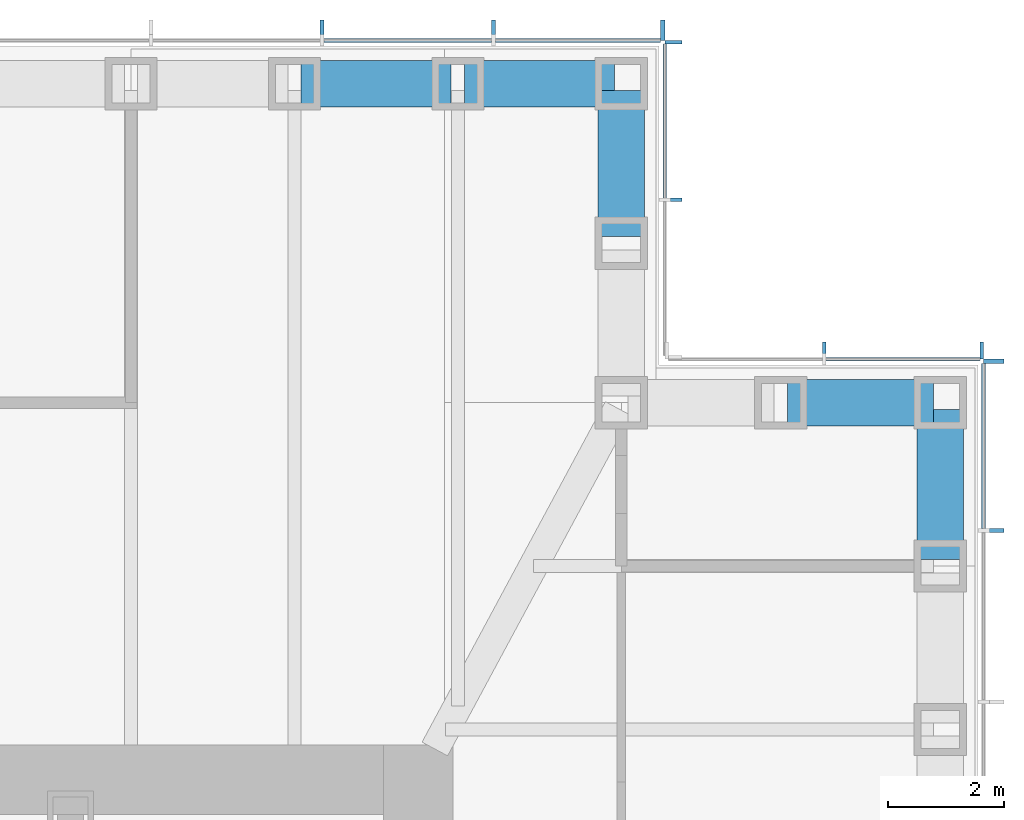
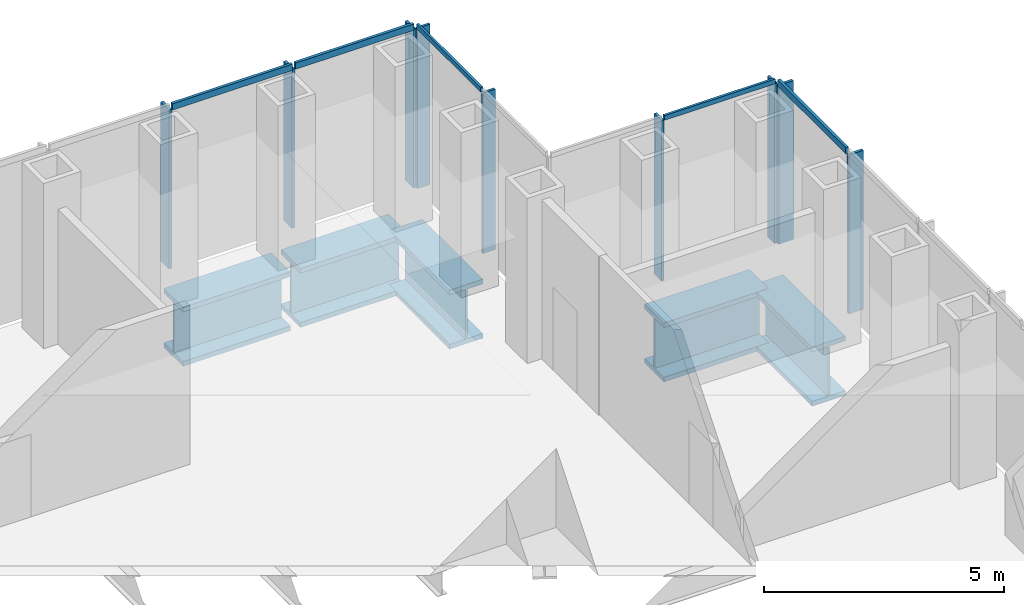
# One storey, part 6 of 16: 14 members, 5 beams, 4 elements without a shape of their own.
"""IFC4 building model written with IfcOpenShell, lengths in metres."""

from ifc_helpers import new_model, si_unit, direction, frame, origin, origin_2d, place, context, subcontext, project, spatial, rectangle, i_section, extrude, material, material_profile, profile_set, type_object, element, aggregate, save


model = new_model("IFC4")

# Units and contexts
model_context = context("Model", 3, precision=1e-05, world=origin(), true_north=direction((0.0, 1.0)))
body_context = subcontext(model_context, "Body", "Model", "MODEL_VIEW")
ifc_project = project(units=[si_unit("LENGTHUNIT", "METRE"), si_unit("AREAUNIT", "SQUARE_METRE"), si_unit("VOLUMEUNIT", "CUBIC_METRE"), si_unit("PLANEANGLEUNIT", "RADIAN"), si_unit("MASSUNIT", "GRAM", prefix="KILO")], contexts=[model_context])

# Site, building, storey
site_placement = place(None, origin())
site = spatial("IfcSite", under=ifc_project, at=site_placement, CompositionType="ELEMENT")
building_placement = place(site_placement, origin())
building = spatial("IfcBuilding", under=site, at=building_placement, Name="Daluyong Arena Tower", CompositionType="ELEMENT")
storey_placement = place(building_placement, frame((0.0, 0.0, 189.699951171875)))
storey = spatial("IfcBuildingStorey", under=building, at=storey_placement, Name="L42", CompositionType="ELEMENT", Elevation=189.699951171875)

# Curtain wall, members
ifc_material_1 = material(Name="Bronze anodised aluminium and glass", Category="aluminium")
curtain_wall_type_1 = type_object("IfcCurtainWallType", Name="Curtain wall CW3", PredefinedType="USERDEFINED", material=ifc_material_1)
curtain_wall_1_placement = place(storey_placement, origin())
curtain_wall_1 = element("IfcCurtainWall", 1, at=curtain_wall_1_placement, inside=storey, type_object=curtain_wall_type_1, Name="curtain wall L42 E", ObjectType="UNITISED CURTAIN WALL", PredefinedType="USERDEFINED")
ifc_material_2 = material(Name="Bronze anodised aluminium fin", Category="aluminium")
ifc_material_profile_1 = material_profile(ifc_material_2, rectangle(XDim=0.35009765625, YDim=0.070068359375, at=origin_2d()))
ifc_profile_set_1 = profile_set([ifc_material_profile_1], Name="Bronze anodised aluminium fin")
member_type_1 = type_object("IfcMemberType", Name="CW3 bronze fin 350x70", PredefinedType="MULLION", material=ifc_profile_set_1)
member_1_placement = place(storey_placement, frame((77.925048828125, 93.29541015625, 0.0), z_axis=(0.0, 0.0, 1.0), x_axis=(-1.0, 0.0, 0.0)))
member_1 = element("IfcMember", 2, at=member_1_placement, type_object=member_type_1, Name="curtain wall L42 E fin 11", PredefinedType="MULLION", context=body_context, shape_type="SweptSolid", body=[
    extrude(rectangle(XDim=0.35009765625, YDim=0.070068359375, at=origin_2d()), origin(), (0.0, 0.0, 1.0), 4.0400390625),
])
member_2_placement = place(storey_placement, frame((77.925048828125, 96.215087890625, 0.0), z_axis=(0.0, 0.0, 1.0), x_axis=(-1.0, 0.0, 0.0)))
member_2 = element("IfcMember", 3, at=member_2_placement, type_object=member_type_1, Name="curtain wall L42 E fin 12", PredefinedType="MULLION", context=body_context, shape_type="SweptSolid", body=[
    extrude(rectangle(XDim=0.35009765625, YDim=0.070068359375, at=origin_2d()), origin(), (0.0, 0.0, 1.0), 4.0400390625),
])

curtain_wall_2_placement = place(storey_placement, origin())
curtain_wall_2 = element("IfcCurtainWall", 4, at=curtain_wall_2_placement, inside=storey, type_object=curtain_wall_type_1, Name="curtain wall L42 N", ObjectType="UNITISED CURTAIN WALL", PredefinedType="USERDEFINED")
member_3_placement = place(storey_placement, frame((72.215087890625, 101.925048828125, 0.0), z_axis=(0.0, 0.0, 1.0), x_axis=(0.0, -1.0, 0.0)))
member_3 = element("IfcMember", 5, at=member_3_placement, type_object=member_type_1, Name="curtain wall L42 N fin 1", PredefinedType="MULLION", context=body_context, shape_type="SweptSolid", body=[
    extrude(rectangle(XDim=0.35009765625, YDim=0.070068359375, at=origin_2d()), origin(), (0.0, 0.0, 1.0), 4.0400390625),
])
member_4_placement = place(storey_placement, frame((69.29541015625, 101.925048828125, 0.0), z_axis=(0.0, 0.0, 1.0), x_axis=(0.0, -1.0, 0.0)))
member_4 = element("IfcMember", 6, at=member_4_placement, type_object=member_type_1, Name="curtain wall L42 N fin 2", PredefinedType="MULLION", context=body_context, shape_type="SweptSolid", body=[
    extrude(rectangle(XDim=0.35009765625, YDim=0.070068359375, at=origin_2d()), origin(), (0.0, 0.0, 1.0), 4.0400390625),
])
member_5_placement = place(storey_placement, frame((66.3408203125, 101.925048828125, 0.0), z_axis=(0.0, 0.0, 1.0), x_axis=(0.0, -1.0, 0.0)))
member_5 = element("IfcMember", 7, at=member_5_placement, type_object=member_type_1, Name="curtain wall L42 N fin 3", PredefinedType="MULLION", context=body_context, shape_type="SweptSolid", body=[
    extrude(rectangle(XDim=0.35009765625, YDim=0.070068359375, at=origin_2d()), origin(), (0.0, 0.0, 1.0), 4.0400390625),
])

# Member
ifc_material_3 = material(Name="Bronze anodised aluminium", Category="aluminium")
ifc_material_profile_2 = material_profile(ifc_material_3, rectangle(XDim=0.070068359375, YDim=0.159912109375, at=origin_2d()))
ifc_profile_set_2 = profile_set([ifc_material_profile_2], Name="Bronze anodised aluminium")
member_type_2 = type_object("IfcMemberType", Name="CW3 stack transom 160x70", PredefinedType="USERDEFINED", material=ifc_profile_set_2)
member_6_placement = place(storey_placement, frame((77.75, 93.33056640625, 4.1201171875), z_axis=(0.0, 1.0, 0.0), x_axis=(-1.0, 0.0, 0.0)))
member_6 = element("IfcMember", 8, at=member_6_placement, type_object=member_type_2, Name="curtain wall L42 E transom 11", ObjectType="TRANSOM", PredefinedType="USERDEFINED", context=body_context, shape_type="SweptSolid", body=[
    extrude(rectangle(XDim=0.070068359375, YDim=0.159912109375, at=origin_2d()), origin(), (0.0, 0.0, 1.0), 2.849365234375),
])

aggregate(curtain_wall_1, [member_1, member_2, member_6])

member_7_placement = place(storey_placement, frame((72.179931640625, 101.75, 4.1201171875), z_axis=(-1.0, 0.0, 0.0), x_axis=(0.0, -1.0, 0.0)))
member_7 = element("IfcMember", 9, at=member_7_placement, type_object=member_type_2, Name="curtain wall L42 N transom 1", ObjectType="TRANSOM", PredefinedType="USERDEFINED", context=body_context, shape_type="SweptSolid", body=[
    extrude(rectangle(XDim=0.070068359375, YDim=0.159912109375, at=origin_2d()), origin(), (0.0, 0.0, 1.0), 2.849365234375),
])

member_8_placement = place(storey_placement, frame((69.260498046875, 101.75, 4.1201171875), z_axis=(-1.0, 0.0, 0.0), x_axis=(0.0, -1.0, 0.0)))
member_8 = element("IfcMember", 10, at=member_8_placement, type_object=member_type_2, Name="curtain wall L42 N transom 2", ObjectType="TRANSOM", PredefinedType="USERDEFINED", context=body_context, shape_type="SweptSolid", body=[
    extrude(rectangle(XDim=0.070068359375, YDim=0.159912109375, at=origin_2d()), origin(), (0.0, 0.0, 1.0), 2.884521484375),
])

aggregate(curtain_wall_2, [member_3, member_4, member_5, member_7, member_8])

# Curtain wall, members
ifc_material_4 = material(Name="Bronze anodised aluminium and glass", Category="aluminium")
curtain_wall_type_2 = type_object("IfcCurtainWallType", Name="Curtain wall CW7", PredefinedType="USERDEFINED", material=ifc_material_4)
curtain_wall_3_placement = place(storey_placement, origin())
curtain_wall_3 = element("IfcCurtainWall", 11, at=curtain_wall_3_placement, inside=storey, type_object=curtain_wall_type_2, Name="curtain wall L42 NE-N", ObjectType="UNITISED CURTAIN WALL", PredefinedType="USERDEFINED")
ifc_material_5 = material(Name="Bronze anodised aluminium fin", Category="aluminium")
ifc_material_profile_3 = material_profile(ifc_material_5, rectangle(XDim=0.300048828125, YDim=0.06005859375, at=origin_2d()))
ifc_profile_set_3 = profile_set([ifc_material_profile_3], Name="Bronze anodised aluminium fin")
member_type_3 = type_object("IfcMemberType", Name="CW7 bronze fin 300x60", PredefinedType="MULLION", material=ifc_profile_set_3)
member_9_placement = place(storey_placement, frame((77.719970703125, 96.39990234375, 0.0), z_axis=(0.0, 0.0, 1.0), x_axis=(0.0, -1.0, 0.0)))
member_9 = element("IfcMember", 12, at=member_9_placement, type_object=member_type_3, Name="curtain wall L42 NE-N fin 1", PredefinedType="MULLION", context=body_context, shape_type="SweptSolid", body=[
    extrude(rectangle(XDim=0.300048828125, YDim=0.06005859375, at=origin_2d()), origin(), (0.0, 0.0, 1.0), 4.080078125),
])
member_10_placement = place(storey_placement, frame((75.0, 96.39990234375, 0.0), z_axis=(0.0, 0.0, 1.0), x_axis=(0.0, -1.0, 0.0)))
member_10 = element("IfcMember", 13, at=member_10_placement, type_object=member_type_3, Name="curtain wall L42 NE-N fin 2", PredefinedType="MULLION", context=body_context, shape_type="SweptSolid", body=[
    extrude(rectangle(XDim=0.300048828125, YDim=0.06005859375, at=origin_2d()), origin(), (0.0, 0.0, 1.0), 4.080078125),
])

curtain_wall_4_placement = place(storey_placement, origin())
curtain_wall_4 = element("IfcCurtainWall", 14, at=curtain_wall_4_placement, inside=storey, type_object=curtain_wall_type_2, Name="curtain wall L42 NE-E", ObjectType="UNITISED CURTAIN WALL", PredefinedType="USERDEFINED")
member_11_placement = place(storey_placement, frame((72.39990234375, 99.0, 0.0), z_axis=(0.0, 0.0, 1.0), x_axis=(-1.0, 0.0, 0.0)))
member_11 = element("IfcMember", 15, at=member_11_placement, type_object=member_type_3, Name="curtain wall L42 NE-E fin 2", PredefinedType="MULLION", context=body_context, shape_type="SweptSolid", body=[
    extrude(rectangle(XDim=0.300048828125, YDim=0.06005859375, at=origin_2d()), origin(), (0.0, 0.0, 1.0), 4.080078125),
])
member_12_placement = place(storey_placement, frame((72.39990234375, 101.719970703125, 0.0), z_axis=(0.0, 0.0, 1.0), x_axis=(-1.0, 0.0, 0.0)))
member_12 = element("IfcMember", 16, at=member_12_placement, type_object=member_type_3, Name="curtain wall L42 NE-E fin 3", PredefinedType="MULLION", context=body_context, shape_type="SweptSolid", body=[
    extrude(rectangle(XDim=0.300048828125, YDim=0.06005859375, at=origin_2d()), origin(), (0.0, 0.0, 1.0), 4.080078125),
])

# Member
ifc_material_6 = material(Name="Bronze anodised aluminium", Category="aluminium")
ifc_material_profile_4 = material_profile(ifc_material_6, rectangle(XDim=0.06005859375, YDim=0.1201171875, at=origin_2d()))
ifc_profile_set_4 = profile_set([ifc_material_profile_4], Name="Bronze anodised aluminium")
member_type_4 = type_object("IfcMemberType", Name="CW7 stack transom 120x60", PredefinedType="USERDEFINED", material=ifc_profile_set_4)
member_13_placement = place(storey_placement, frame((77.68994140625, 96.25, 4.14013671875), z_axis=(-1.0, 0.0, 0.0), x_axis=(0.0, -1.0, 0.0)))
member_13 = element("IfcMember", 17, at=member_13_placement, type_object=member_type_4, Name="curtain wall L42 NE-N transom 1", ObjectType="TRANSOM", PredefinedType="USERDEFINED", context=body_context, shape_type="SweptSolid", body=[
    extrude(rectangle(XDim=0.06005859375, YDim=0.1201171875, at=origin_2d()), origin(), (0.0, 0.0, 1.0), 2.659912109375),
])

aggregate(curtain_wall_3, [member_9, member_10, member_13])

member_14_placement = place(storey_placement, frame((72.25, 99.030029296875, 4.14013671875), z_axis=(0.0, 1.0, 0.0), x_axis=(-1.0, 0.0, 0.0)))
member_14 = element("IfcMember", 18, at=member_14_placement, type_object=member_type_4, Name="curtain wall L42 NE-E transom 2", ObjectType="TRANSOM", PredefinedType="USERDEFINED", context=body_context, shape_type="SweptSolid", body=[
    extrude(rectangle(XDim=0.06005859375, YDim=0.1201171875, at=origin_2d()), origin(), (0.0, 0.0, 1.0), 2.659912109375),
])

aggregate(curtain_wall_4, [member_11, member_12, member_14])

# Beams
ifc_material_7 = material(Name="Steel ASTM A588 Grade 50", Category="steel")
ifc_material_profile_5 = material_profile(ifc_material_7, i_section(OverallWidth=0.800048828125, OverallDepth=1.5, WebThickness=0.05, FlangeThickness=0.12, at=origin_2d()))
ifc_profile_set_5 = profile_set([ifc_material_profile_5], Name="Steel ASTM A588 Grade 50")
beam_type = type_object("IfcBeamType", Name="Spandrel Z3 PG1500X800", PredefinedType="SPANDREL", material=ifc_profile_set_5)
beam_1_placement = place(storey_placement, frame((77.0, 92.796875, -0.909912109375), z_axis=(0.0, 1.0, 0.0), x_axis=(-1.0, 0.0, 0.0)))
element("IfcBeam", 19, at=beam_1_placement, inside=storey, type_object=beam_type, Name="spandrel z3 SB7", PredefinedType="SPANDREL", context=body_context, shape_type="SweptSolid", body=[
    extrude(i_section(OverallWidth=0.800048828125, OverallDepth=1.5, WebThickness=0.05, FlangeThickness=0.12, at=origin_2d()), origin(), (0.0, 0.0, 1.0), 2.588134765625),
])
for number, where, z_axis, x_axis, name in (
    (20, (76.885009765625, 95.5, -0.909912109375), (-1.0, 0.0, 0.0), (0.0, -1.0, 0.0), "spandrel z3 SB7"),
    (21, (71.5, 98.364990234375, -0.909912109375), (0.0, 1.0, 0.0), (-1.0, 0.0, 0.0), "spandrel z3 SB7"),
):
    element("IfcBeam", number, at=place(storey_placement, frame(where, z_axis=z_axis, x_axis=x_axis)), inside=storey, type_object=beam_type, Name=name, PredefinedType="SPANDREL", context=body_context, shape_type="SweptSolid", body=[
        extrude(i_section(OverallWidth=0.800048828125, OverallDepth=1.5, WebThickness=0.05, FlangeThickness=0.12, at=origin_2d()), origin(), (0.0, 0.0, 1.0), 2.52001953125),
    ])
beam_2_placement = place(storey_placement, frame((71.385009765625, 101.0, -0.909912109375), z_axis=(-1.0, 0.0, 0.0), x_axis=(0.0, -1.0, 0.0)))
element("IfcBeam", 22, at=beam_2_placement, inside=storey, type_object=beam_type, Name="spandrel z3 SB7", PredefinedType="SPANDREL", context=body_context, shape_type="SweptSolid", body=[
    extrude(i_section(OverallWidth=0.800048828125, OverallDepth=1.5, WebThickness=0.05, FlangeThickness=0.12, at=origin_2d()), origin(), (0.0, 0.0, 1.0), 2.588134765625),
])
beam_3_placement = place(storey_placement, frame((68.56689453125, 101.0, -0.909912109375), z_axis=(-1.0, 0.0, 0.0), x_axis=(0.0, -1.0, 0.0)))
element("IfcBeam", 23, at=beam_3_placement, inside=storey, type_object=beam_type, Name="spandrel z3 SB7", PredefinedType="SPANDREL", context=body_context, shape_type="SweptSolid", body=[
    extrude(i_section(OverallWidth=0.800048828125, OverallDepth=1.5, WebThickness=0.05, FlangeThickness=0.12, at=origin_2d()), origin(), (0.0, 0.0, 1.0), 2.58837890625),
])

save(model, "model.ifc")
